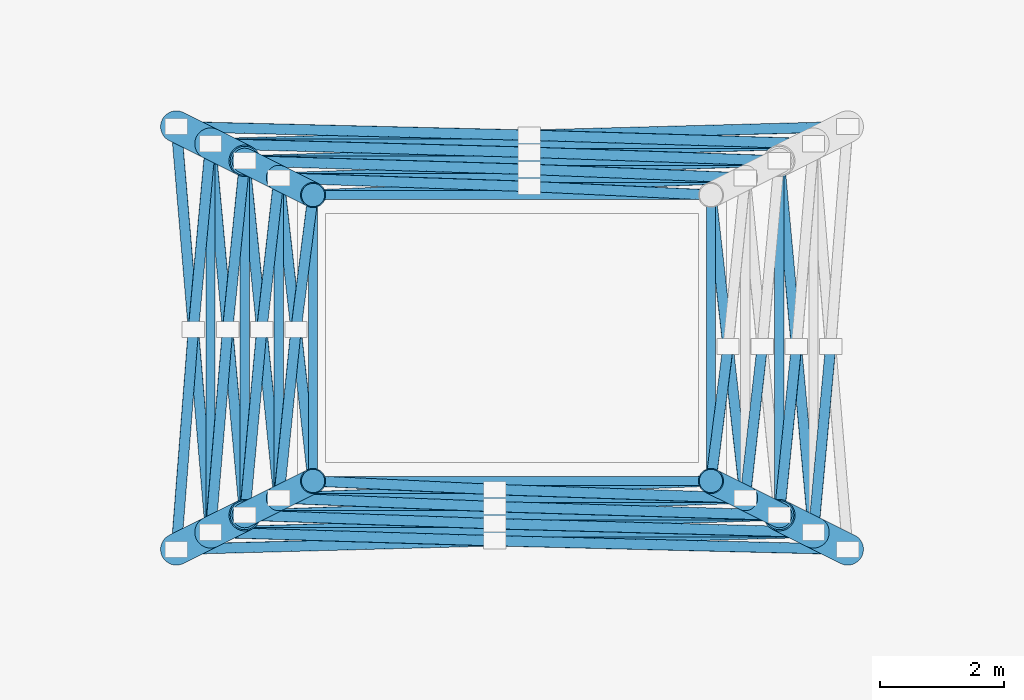
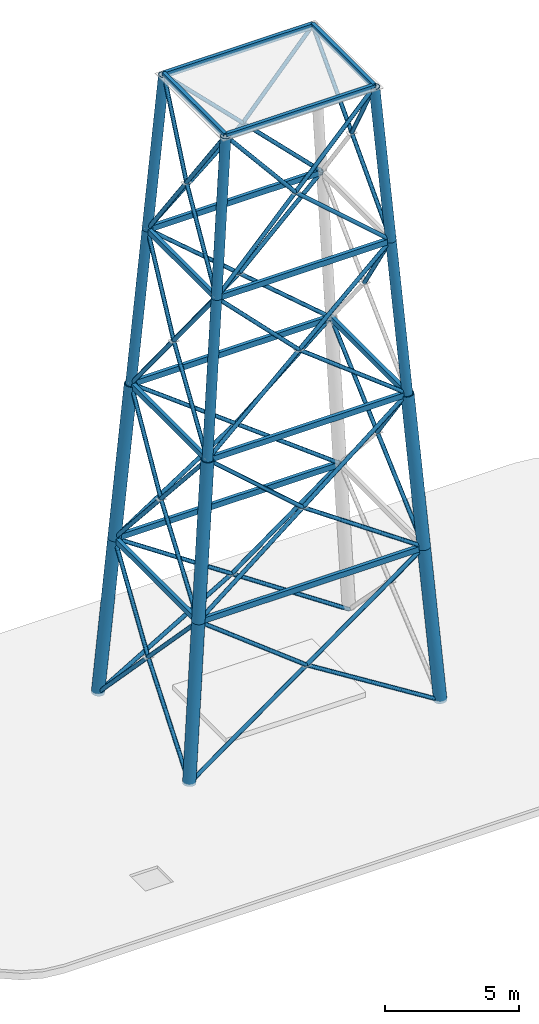
# One storey, part 1 of 3: 68 members.
"""IFC4 building model written with IfcOpenShell, lengths in metres."""

from ifc_helpers import new_model, si_unit, direction, frame, origin, origin_2d, place, context, subcontext, project, spatial, hollow_rectangle, hollow_circle, extrude, material, material_profile, profile_set, type_object, element, save


model = new_model("IFC4")

# Units and contexts
model_context = context("Model", 3, precision=1e-05, world=origin(), true_north=direction((0.0, 1.0)))
body_context = subcontext(model_context, "Body", "Model", "MODEL_VIEW")
ifc_project = project(units=[si_unit("LENGTHUNIT", "METRE"), si_unit("AREAUNIT", "SQUARE_METRE"), si_unit("VOLUMEUNIT", "CUBIC_METRE"), si_unit("PLANEANGLEUNIT", "RADIAN"), si_unit("MASSUNIT", "GRAM", prefix="KILO")], contexts=[model_context])

# Site, building, storey
site_placement = place(None, origin())
site = spatial("IfcSite", under=ifc_project, at=site_placement, CompositionType="ELEMENT")
building_placement = place(site_placement, origin())
building = spatial("IfcBuilding", under=site, at=building_placement, Name="Zarnavel Station Tower", CompositionType="ELEMENT")
storey_placement = place(building_placement, frame((0.0, 0.0, 291.60009765625)))
storey = spatial("IfcBuildingStorey", under=building, at=storey_placement, Name="Roof", CompositionType="ELEMENT", Elevation=291.60009765625)

# Members
ifc_material_1 = material(Name="Steel S355J2", Category="steel")
ifc_material_profile_1 = material_profile(ifc_material_1, hollow_circle(Radius=0.084228515625, WallThickness=0.008056640625, at=origin_2d()), Name="CHS168.3x8")
ifc_profile_set_1 = profile_set([ifc_material_profile_1], Name="Steel S355J2")
member_type_1 = type_object("IfcMemberType", Name="MAST_DIAG_CHS168", PredefinedType="BRACE", material=ifc_profile_set_1)
member_1_placement = place(storey_placement, frame((23.39990234375, 28.800048828125, 0.0), z_axis=(0.825598518903, 0.022142338326, 0.563823378763), x_axis=(-0.026810100354, 0.999640544655, 0.0)))
element("IfcMember", 1, at=member_1_placement, inside=storey, type_object=member_type_1, Name="Broadcast Mast Continuous Diagonal A T1-1", PredefinedType="BRACE", context=body_context, shape_type="SweptSolid", body=[
    extrude(hollow_circle(Radius=0.084228515625, WallThickness=0.008056640625, at=origin_2d()), origin(), (0.0, 0.0, 1.0), 12.415283203125),
])
member_2_placement = place(storey_placement, frame((34.199951171875, 28.800048828125, 0.0), z_axis=(-0.850964166251, 0.020610575418, 0.524819199285), x_axis=(-0.024213161487, -0.999706818428, 0.0)))
element("IfcMember", 2, at=member_2_placement, inside=storey, type_object=member_type_1, Name="Broadcast Mast Split Diagonal B Lower T1-1", PredefinedType="BRACE", context=body_context, shape_type="SweptSolid", body=[
    extrude(hollow_circle(Radius=0.084228515625, WallThickness=0.008056640625, at=origin_2d()), origin(), (0.0, 0.0, 1.0), 6.6689453125),
])
member_3_placement = place(storey_placement, frame((28.52490234375, 28.9375, 3.5), z_axis=(-0.794005475476, 0.023855332872, 0.607442365997), x_axis=(-0.030030741941, -0.999548975558, 0.0)))
element("IfcMember", 3, at=member_3_placement, inside=storey, type_object=member_type_1, Name="Broadcast Mast Split Diagonal B Upper T1-1", PredefinedType="BRACE", context=body_context, shape_type="SweptSolid", body=[
    extrude(hollow_circle(Radius=0.084228515625, WallThickness=0.008056640625, at=origin_2d()), origin(), (0.0, 0.0, 1.0), 5.761962890625),
])
member_4_placement = place(storey_placement, frame((33.925048828125, 32.0625, 3.5), z_axis=(-0.059686032772, -0.648072744476, 0.75923599451), x_axis=(0.995785793262, -0.091709617472, 0.0)))
element("IfcMember", 4, at=member_4_placement, inside=storey, type_object=member_type_1, Name="Broadcast Mast Split Diagonal B Upper T1-2", PredefinedType="BRACE", context=body_context, shape_type="SweptSolid", body=[
    extrude(hollow_circle(Radius=0.084228515625, WallThickness=0.008056640625, at=origin_2d()), origin(), (0.0, 0.0, 1.0), 4.60986328125),
])
member_5_placement = place(storey_placement, frame((34.199951171875, 35.60009765625, 0.0), z_axis=(-0.825598159261, -0.022161993271, 0.563823133154), x_axis=(0.026833893253, -0.999639906253, 0.0)))
element("IfcMember", 5, at=member_5_placement, inside=storey, type_object=member_type_1, Name="Broadcast Mast Continuous Diagonal A T1-3", PredefinedType="BRACE", context=body_context, shape_type="SweptSolid", body=[
    extrude(hollow_circle(Radius=0.084228515625, WallThickness=0.008056640625, at=origin_2d()), origin(), (0.0, 0.0, 1.0), 12.415283203125),
])
member_6_placement = place(storey_placement, frame((23.39990234375, 35.60009765625, 0.0), z_axis=(0.85096352361, -0.020647168308, 0.524818802946), x_axis=(0.024256143598, 0.999705776465, 0.0)))
element("IfcMember", 6, at=member_6_placement, inside=storey, type_object=member_type_1, Name="Broadcast Mast Split Diagonal B Lower T1-3", PredefinedType="BRACE", context=body_context, shape_type="SweptSolid", body=[
    extrude(hollow_circle(Radius=0.084228515625, WallThickness=0.008056640625, at=origin_2d()), origin(), (0.0, 0.0, 1.0), 6.6689453125),
])
member_7_placement = place(storey_placement, frame((29.074951171875, 35.46240234375, 3.5), z_axis=(0.794005475476, -0.023855332872, 0.607442365997), x_axis=(0.030030741941, 0.999548975558, 0.0)))
element("IfcMember", 7, at=member_7_placement, inside=storey, type_object=member_type_1, Name="Broadcast Mast Split Diagonal B Upper T1-3", PredefinedType="BRACE", context=body_context, shape_type="SweptSolid", body=[
    extrude(hollow_circle(Radius=0.084228515625, WallThickness=0.008056640625, at=origin_2d()), origin(), (0.0, 0.0, 1.0), 5.761962890625),
])
member_8_placement = place(storey_placement, frame((23.39990234375, 35.60009765625, 0.0), z_axis=(0.057383962887, -0.680737317393, 0.73027651305), x_axis=(0.996465850559, 0.083998861126, 0.0)))
element("IfcMember", 8, at=member_8_placement, inside=storey, type_object=member_type_1, Name="Broadcast Mast Continuous Diagonal A T1-4", PredefinedType="BRACE", context=body_context, shape_type="SweptSolid", body=[
    extrude(hollow_circle(Radius=0.084228515625, WallThickness=0.008056640625, at=origin_2d()), origin(), (0.0, 0.0, 1.0), 9.58544921875),
])
member_9_placement = place(storey_placement, frame((23.39990234375, 28.800048828125, 0.0), z_axis=(0.055207823453, 0.709765886431, 0.702270946778), x_axis=(-0.996988549193, 0.077548905717, 0.0)))
element("IfcMember", 9, at=member_9_placement, inside=storey, type_object=member_type_1, Name="Broadcast Mast Split Diagonal B Lower T1-4", PredefinedType="BRACE", context=body_context, shape_type="SweptSolid", body=[
    extrude(hollow_circle(Radius=0.084228515625, WallThickness=0.008056640625, at=origin_2d()), origin(), (0.0, 0.0, 1.0), 4.98388671875),
])
member_10_placement = place(storey_placement, frame((23.675048828125, 32.33740234375, 3.5), z_axis=(0.059633261088, 0.648074792121, 0.759238393385), x_axis=(-0.995793221468, 0.091628925993, 0.0)))
element("IfcMember", 10, at=member_10_placement, inside=storey, type_object=member_type_1, Name="Broadcast Mast Split Diagonal B Upper T1-4", PredefinedType="BRACE", context=body_context, shape_type="SweptSolid", body=[
    extrude(hollow_circle(Radius=0.084228515625, WallThickness=0.008056640625, at=origin_2d()), origin(), (0.0, 0.0, 1.0), 4.60986328125),
])
member_11_placement = place(storey_placement, frame((23.949951171875, 29.074951171875, 7.0), z_axis=(0.794012903187, 0.023876105069, 0.607431840769), x_axis=(-0.030056586888, 0.99954819873, 0.0)))
element("IfcMember", 11, at=member_11_placement, inside=storey, type_object=member_type_1, Name="Broadcast Mast Continuous Diagonal A T2-1", PredefinedType="BRACE", context=body_context, shape_type="SweptSolid", body=[
    extrude(hollow_circle(Radius=0.084228515625, WallThickness=0.008056640625, at=origin_2d()), origin(), (0.0, 0.0, 1.0), 11.52392578125),
])
member_12_placement = place(storey_placement, frame((33.64990234375, 29.074951171875, 7.0), z_axis=(-0.825598518903, 0.022142338326, 0.563823378763), x_axis=(-0.026810100354, -0.999640544655, 0.0)))
element("IfcMember", 12, at=member_12_placement, inside=storey, type_object=member_type_1, Name="Broadcast Mast Split Diagonal B Lower T2-1", PredefinedType="BRACE", context=body_context, shape_type="SweptSolid", body=[
    extrude(hollow_circle(Radius=0.084228515625, WallThickness=0.008056640625, at=origin_2d()), origin(), (0.0, 0.0, 1.0), 6.20751953125),
])
member_13_placement = place(storey_placement, frame((28.52490234375, 29.21240234375, 10.5), z_axis=(-0.754346318939, 0.02580682542, 0.655969236219), x_axis=(-0.034190843244, -0.999415322195, 0.0)))
element("IfcMember", 13, at=member_13_placement, inside=storey, type_object=member_type_1, Name="Broadcast Mast Split Diagonal B Upper T2-1", PredefinedType="BRACE", context=body_context, shape_type="SweptSolid", body=[
    extrude(hollow_circle(Radius=0.084228515625, WallThickness=0.008056640625, at=origin_2d()), origin(), (0.0, 0.0, 1.0), 5.335693359375),
])
member_14_placement = place(storey_placement, frame((33.64990234375, 29.074951171875, 7.0), z_axis=(-0.059633261088, 0.648074792121, 0.759238393385), x_axis=(-0.995793221468, -0.091628925993, 0.0)))
element("IfcMember", 14, at=member_14_placement, inside=storey, type_object=member_type_1, Name="Broadcast Mast Continuous Diagonal A T2-2", PredefinedType="BRACE", context=body_context, shape_type="SweptSolid", body=[
    extrude(hollow_circle(Radius=0.084228515625, WallThickness=0.008056640625, at=origin_2d()), origin(), (0.0, 0.0, 1.0), 9.2197265625),
])
member_15_placement = place(storey_placement, frame((33.375, 32.0625, 10.5), z_axis=(-0.061963527069, -0.611380804386, 0.788906859738), x_axis=(0.994903305985, -0.100833584387, 0.0)))
element("IfcMember", 15, at=member_15_placement, inside=storey, type_object=member_type_1, Name="Broadcast Mast Split Diagonal B Upper T2-2", PredefinedType="BRACE", context=body_context, shape_type="SweptSolid", body=[
    extrude(hollow_circle(Radius=0.084228515625, WallThickness=0.008056640625, at=origin_2d()), origin(), (0.0, 0.0, 1.0), 4.4365234375),
])
member_16_placement = place(storey_placement, frame((33.64990234375, 35.324951171875, 7.0), z_axis=(-0.794005475476, -0.023855332872, 0.607442365997), x_axis=(0.030030741941, -0.999548975558, 0.0)))
element("IfcMember", 16, at=member_16_placement, inside=storey, type_object=member_type_1, Name="Broadcast Mast Continuous Diagonal A T2-3", PredefinedType="BRACE", context=body_context, shape_type="SweptSolid", body=[
    extrude(hollow_circle(Radius=0.084228515625, WallThickness=0.008056640625, at=origin_2d()), origin(), (0.0, 0.0, 1.0), 11.523681640625),
])
member_17_placement = place(storey_placement, frame((23.949951171875, 35.324951171875, 7.0), z_axis=(0.825598518903, -0.022142338326, 0.563823378763), x_axis=(0.026810100354, 0.999640544655, 0.0)))
element("IfcMember", 17, at=member_17_placement, inside=storey, type_object=member_type_1, Name="Broadcast Mast Split Diagonal B Lower T2-3", PredefinedType="BRACE", context=body_context, shape_type="SweptSolid", body=[
    extrude(hollow_circle(Radius=0.084228515625, WallThickness=0.008056640625, at=origin_2d()), origin(), (0.0, 0.0, 1.0), 6.20751953125),
])
member_18_placement = place(storey_placement, frame((29.074951171875, 35.1875, 10.5), z_axis=(0.754366927269, -0.025760209866, 0.655947368796), x_axis=(0.034128224139, 0.999417462484, 0.0)))
element("IfcMember", 18, at=member_18_placement, inside=storey, type_object=member_type_1, Name="Broadcast Mast Split Diagonal B Upper T2-3", PredefinedType="BRACE", context=body_context, shape_type="SweptSolid", body=[
    extrude(hollow_circle(Radius=0.084228515625, WallThickness=0.008056640625, at=origin_2d()), origin(), (0.0, 0.0, 1.0), 5.335693359375),
])
member_19_placement = place(storey_placement, frame((23.949951171875, 35.324951171875, 7.0), z_axis=(0.05966067082, -0.648058409665, 0.759250223589), x_axis=(0.995789166239, 0.091672986211, 0.0)))
element("IfcMember", 19, at=member_19_placement, inside=storey, type_object=member_type_1, Name="Broadcast Mast Continuous Diagonal A T2-4", PredefinedType="BRACE", context=body_context, shape_type="SweptSolid", body=[
    extrude(hollow_circle(Radius=0.084228515625, WallThickness=0.008056640625, at=origin_2d()), origin(), (0.0, 0.0, 1.0), 9.2197265625),
])
member_20_placement = place(storey_placement, frame((23.949951171875, 29.074951171875, 7.0), z_axis=(0.057410344375, 0.680722654728, 0.730288107324), x_axis=(-0.996462465901, 0.084039003148, 0.0)))
element("IfcMember", 20, at=member_20_placement, inside=storey, type_object=member_type_1, Name="Broadcast Mast Split Diagonal B Lower T2-4", PredefinedType="BRACE", context=body_context, shape_type="SweptSolid", body=[
    extrude(hollow_circle(Radius=0.084228515625, WallThickness=0.008056640625, at=origin_2d()), origin(), (0.0, 0.0, 1.0), 4.792724609375),
])
member_21_placement = place(storey_placement, frame((24.22509765625, 32.33740234375, 10.5), z_axis=(0.061961442371, 0.611415263036, 0.788880317783), x_axis=(-0.994904216358, 0.100824601532, 0.0)))
element("IfcMember", 21, at=member_21_placement, inside=storey, type_object=member_type_1, Name="Broadcast Mast Split Diagonal B Upper T2-4", PredefinedType="BRACE", context=body_context, shape_type="SweptSolid", body=[
    extrude(hollow_circle(Radius=0.084228515625, WallThickness=0.008056640625, at=origin_2d()), origin(), (0.0, 0.0, 1.0), 4.436767578125),
])
member_22_placement = place(storey_placement, frame((24.5, 29.35009765625, 14.0), z_axis=(0.754357068345, 0.025760654443, 0.65595868934), x_axis=(-0.034129257969, 0.99941742718, 0.0)))
element("IfcMember", 22, at=member_22_placement, inside=storey, type_object=member_type_1, Name="Broadcast Mast Continuous Diagonal A T3-1", PredefinedType="BRACE", context=body_context, shape_type="SweptSolid", body=[
    extrude(hollow_circle(Radius=0.084228515625, WallThickness=0.008056640625, at=origin_2d()), origin(), (0.0, 0.0, 1.0), 10.67138671875),
])
member_23_placement = place(storey_placement, frame((33.10009765625, 29.35009765625, 14.0), z_axis=(-0.794021133415, 0.023854530316, 0.607421930023), x_axis=(-0.030029140892, -0.999549023659, 0.0)))
element("IfcMember", 23, at=member_23_placement, inside=storey, type_object=member_type_1, Name="Broadcast Mast Split Diagonal B Lower T3-1", PredefinedType="BRACE", context=body_context, shape_type="SweptSolid", body=[
    extrude(hollow_circle(Radius=0.084228515625, WallThickness=0.008056640625, at=origin_2d()), origin(), (0.0, 0.0, 1.0), 5.761962890625),
])
member_24_placement = place(storey_placement, frame((28.52490234375, 29.487548828125, 17.5), z_axis=(-0.704279413179, 0.027858449352, 0.709376074428), x_axis=(-0.039525051672, -0.999218579836, 0.0)))
element("IfcMember", 24, at=member_24_placement, inside=storey, type_object=member_type_1, Name="Broadcast Mast Split Diagonal B Upper T3-1", PredefinedType="BRACE", context=body_context, shape_type="SweptSolid", body=[
    extrude(hollow_circle(Radius=0.084228515625, WallThickness=0.008056640625, at=origin_2d()), origin(), (0.0, 0.0, 1.0), 4.933837890625),
])
member_25_placement = place(storey_placement, frame((32.824951171875, 32.0625, 17.5), z_axis=(-0.064319860682, -0.570310381036, 0.818907213795), x_axis=(0.993700318166, -0.112069967774, 0.0)))
element("IfcMember", 25, at=member_25_placement, inside=storey, type_object=member_type_1, Name="Broadcast Mast Split Diagonal B Upper T3-2", PredefinedType="BRACE", context=body_context, shape_type="SweptSolid", body=[
    extrude(hollow_circle(Radius=0.084228515625, WallThickness=0.008056640625, at=origin_2d()), origin(), (0.0, 0.0, 1.0), 4.27392578125),
])
member_26_placement = place(storey_placement, frame((33.10009765625, 35.050048828125, 14.0), z_axis=(-0.754356623566, -0.025783517264, 0.655958302577), x_axis=(0.034159532792, -0.999416392861, 0.0)))
element("IfcMember", 26, at=member_26_placement, inside=storey, type_object=member_type_1, Name="Broadcast Mast Continuous Diagonal A T3-3", PredefinedType="BRACE", context=body_context, shape_type="SweptSolid", body=[
    extrude(hollow_circle(Radius=0.084228515625, WallThickness=0.008056640625, at=origin_2d()), origin(), (0.0, 0.0, 1.0), 10.67138671875),
])
member_27_placement = place(storey_placement, frame((24.5, 35.050048828125, 14.0), z_axis=(0.794005475476, -0.023855332872, 0.607442365997), x_axis=(0.030030741941, 0.999548975558, 0.0)))
element("IfcMember", 27, at=member_27_placement, inside=storey, type_object=member_type_1, Name="Broadcast Mast Split Diagonal B Lower T3-3", PredefinedType="BRACE", context=body_context, shape_type="SweptSolid", body=[
    extrude(hollow_circle(Radius=0.084228515625, WallThickness=0.008056640625, at=origin_2d()), origin(), (0.0, 0.0, 1.0), 5.761962890625),
])
member_28_placement = place(storey_placement, frame((29.074951171875, 34.91259765625, 17.5), z_axis=(0.704303378736, -0.027906920444, 0.709350374986), x_axis=(0.03959236869, 0.999215914776, 0.0)))
element("IfcMember", 28, at=member_28_placement, inside=storey, type_object=member_type_1, Name="Broadcast Mast Split Diagonal B Upper T3-3", PredefinedType="BRACE", context=body_context, shape_type="SweptSolid", body=[
    extrude(hollow_circle(Radius=0.084228515625, WallThickness=0.008056640625, at=origin_2d()), origin(), (0.0, 0.0, 1.0), 4.93408203125),
])
member_29_placement = place(storey_placement, frame((24.5, 35.050048828125, 14.0), z_axis=(0.061989893434, -0.611396991568, 0.788892243474), x_axis=(0.994899268807, 0.100873410406, 0.0)))
element("IfcMember", 29, at=member_29_placement, inside=storey, type_object=member_type_1, Name="Broadcast Mast Continuous Diagonal A T3-4", PredefinedType="BRACE", context=body_context, shape_type="SweptSolid", body=[
    extrude(hollow_circle(Radius=0.084228515625, WallThickness=0.008056640625, at=origin_2d()), origin(), (0.0, 0.0, 1.0), 8.873291015625),
])
member_30_placement = place(storey_placement, frame((24.5, 29.35009765625, 14.0), z_axis=(0.059635307855, 0.648044073634, 0.759264452404), x_axis=(-0.995792538167, 0.091636351583, 0.0)))
element("IfcMember", 30, at=member_30_placement, inside=storey, type_object=member_type_1, Name="Broadcast Mast Split Diagonal B Lower T3-4", PredefinedType="BRACE", context=body_context, shape_type="SweptSolid", body=[
    extrude(hollow_circle(Radius=0.084228515625, WallThickness=0.008056640625, at=origin_2d()), origin(), (0.0, 0.0, 1.0), 4.609619140625),
])
member_31_placement = place(storey_placement, frame((24.77490234375, 32.33740234375, 17.5), z_axis=(0.064376746484, 0.570308284735, 0.818904203723), x_axis=(-0.993689229455, 0.112168245352, 0.0)))
element("IfcMember", 31, at=member_31_placement, inside=storey, type_object=member_type_1, Name="Broadcast Mast Split Diagonal B Upper T3-4", PredefinedType="BRACE", context=body_context, shape_type="SweptSolid", body=[
    extrude(hollow_circle(Radius=0.084228515625, WallThickness=0.008056640625, at=origin_2d()), origin(), (0.0, 0.0, 1.0), 4.27392578125),
])
member_32_placement = place(storey_placement, frame((25.050048828125, 29.625, 21.0), z_axis=(0.70429188212, 0.027857963933, 0.709363713919), x_axis=(-0.039523665389, 0.999218634671, 0.0)))
element("IfcMember", 32, at=member_32_placement, inside=storey, type_object=member_type_1, Name="Broadcast Mast Continuous Diagonal A T4-1", PredefinedType="BRACE", context=body_context, shape_type="SweptSolid", body=[
    extrude(hollow_circle(Radius=0.084228515625, WallThickness=0.008056640625, at=origin_2d()), origin(), (0.0, 0.0, 1.0), 9.867919921875),
])
member_33_placement = place(storey_placement, frame((32.550048828125, 29.625, 21.0), z_axis=(-0.754366927269, 0.025760209866, 0.655947368796), x_axis=(-0.034128224139, -0.999417462484, 0.0)))
element("IfcMember", 33, at=member_33_placement, inside=storey, type_object=member_type_1, Name="Broadcast Mast Split Diagonal B Lower T4-1", PredefinedType="BRACE", context=body_context, shape_type="SweptSolid", body=[
    extrude(hollow_circle(Radius=0.084228515625, WallThickness=0.008056640625, at=origin_2d()), origin(), (0.0, 0.0, 1.0), 5.335693359375),
])
member_34_placement = place(storey_placement, frame((28.52490234375, 29.762451171875, 24.5), z_axis=(-0.640945801433, 0.030121242588, 0.76699490896), x_axis=(-0.046943182547, -0.99889756112, 0.0)))
element("IfcMember", 34, at=member_34_placement, inside=storey, type_object=member_type_1, Name="Broadcast Mast Split Diagonal B Upper T4-1", PredefinedType="BRACE", context=body_context, shape_type="SweptSolid", body=[
    extrude(hollow_circle(Radius=0.084228515625, WallThickness=0.008056640625, at=origin_2d()), origin(), (0.0, 0.0, 1.0), 4.563232421875),
])
member_35_placement = place(storey_placement, frame((32.550048828125, 29.625, 21.0), z_axis=(-0.064348303661, 0.570309333115, 0.818905709088), x_axis=(-0.993694774994, -0.112119106974, 0.0)))
element("IfcMember", 35, at=member_35_placement, inside=storey, type_object=member_type_1, Name="Broadcast Mast Continuous Diagonal A T4-2", PredefinedType="BRACE", context=body_context, shape_type="SweptSolid", body=[
    extrude(hollow_circle(Radius=0.084228515625, WallThickness=0.008056640625, at=origin_2d()), origin(), (0.0, 0.0, 1.0), 8.548095703125),
])
member_36_placement = place(storey_placement, frame((32.27490234375, 32.0625, 24.5), z_axis=(-0.066668906045, -0.524469955371, 0.848814775366), x_axis=(0.992017281711, -0.126101993588, 0.0)))
element("IfcMember", 36, at=member_36_placement, inside=storey, type_object=member_type_1, Name="Broadcast Mast Split Diagonal B Upper T4-2", PredefinedType="BRACE", context=body_context, shape_type="SweptSolid", body=[
    extrude(hollow_circle(Radius=0.084228515625, WallThickness=0.008056640625, at=origin_2d()), origin(), (0.0, 0.0, 1.0), 4.123291015625),
])
member_37_placement = place(storey_placement, frame((32.550048828125, 34.77490234375, 21.0), z_axis=(-0.70429188212, -0.027857963933, 0.709363713919), x_axis=(0.039523665389, -0.999218634671, 0.0)))
element("IfcMember", 37, at=member_37_placement, inside=storey, type_object=member_type_1, Name="Broadcast Mast Continuous Diagonal A T4-3", PredefinedType="BRACE", context=body_context, shape_type="SweptSolid", body=[
    extrude(hollow_circle(Radius=0.084228515625, WallThickness=0.008056640625, at=origin_2d()), origin(), (0.0, 0.0, 1.0), 9.867919921875),
])
member_38_placement = place(storey_placement, frame((25.050048828125, 34.77490234375, 21.0), z_axis=(0.754347208911, -0.02576109903, 0.655970010126), x_axis=(0.034130291861, 0.999417391873, 0.0)))
element("IfcMember", 38, at=member_38_placement, inside=storey, type_object=member_type_1, Name="Broadcast Mast Split Diagonal B Lower T4-3", PredefinedType="BRACE", context=body_context, shape_type="SweptSolid", body=[
    extrude(hollow_circle(Radius=0.084228515625, WallThickness=0.008056640625, at=origin_2d()), origin(), (0.0, 0.0, 1.0), 5.335693359375),
])
member_39_placement = place(storey_placement, frame((29.074951171875, 34.637451171875, 24.5), z_axis=(0.640977322172, -0.030120209697, 0.766968607851), x_axis=(0.046939273044, 0.99889774484, 0.0)))
element("IfcMember", 39, at=member_39_placement, inside=storey, type_object=member_type_1, Name="Broadcast Mast Split Diagonal B Upper T4-3", PredefinedType="BRACE", context=body_context, shape_type="SweptSolid", body=[
    extrude(hollow_circle(Radius=0.084228515625, WallThickness=0.008056640625, at=origin_2d()), origin(), (0.0, 0.0, 1.0), 4.5634765625),
])
member_40_placement = place(storey_placement, frame((25.050048828125, 34.77490234375, 21.0), z_axis=(0.064348303661, -0.570309333115, 0.818905709088), x_axis=(0.993694774994, 0.112119106974, 0.0)))
element("IfcMember", 40, at=member_40_placement, inside=storey, type_object=member_type_1, Name="Broadcast Mast Continuous Diagonal A T4-4", PredefinedType="BRACE", context=body_context, shape_type="SweptSolid", body=[
    extrude(hollow_circle(Radius=0.084228515625, WallThickness=0.008056640625, at=origin_2d()), origin(), (0.0, 0.0, 1.0), 8.548095703125),
])
member_41_placement = place(storey_placement, frame((25.050048828125, 29.625, 21.0), z_axis=(0.061963527069, 0.611380804386, 0.788906859738), x_axis=(-0.994903305985, 0.100833584387, 0.0)))
element("IfcMember", 41, at=member_41_placement, inside=storey, type_object=member_type_1, Name="Broadcast Mast Split Diagonal B Lower T4-4", PredefinedType="BRACE", context=body_context, shape_type="SweptSolid", body=[
    extrude(hollow_circle(Radius=0.084228515625, WallThickness=0.008056640625, at=origin_2d()), origin(), (0.0, 0.0, 1.0), 4.4365234375),
])
member_42_placement = place(storey_placement, frame((25.324951171875, 32.33740234375, 24.5), z_axis=(0.066727851149, 0.524467884185, 0.848811423309), x_axis=(-0.992003266219, 0.126212201516, 0.0)))
element("IfcMember", 42, at=member_42_placement, inside=storey, type_object=member_type_1, Name="Broadcast Mast Split Diagonal B Upper T4-4", PredefinedType="BRACE", context=body_context, shape_type="SweptSolid", body=[
    extrude(hollow_circle(Radius=0.084228515625, WallThickness=0.008056640625, at=origin_2d()), origin(), (0.0, 0.0, 1.0), 4.123291015625),
])
ifc_material_2 = material(Name="Steel S355J2", Category="steel")
ifc_material_profile_2 = material_profile(ifc_material_2, hollow_rectangle(XDim=0.14990234375, YDim=0.25, WallThickness=0.010009765625, at=origin_2d()), Name="RHS250x150x10")
ifc_profile_set_2 = profile_set([ifc_material_profile_2], Name="Steel S355J2")
member_type_2 = type_object("IfcMemberType", Name="MAST_GIRT_RHS250", PredefinedType="BRACE", material=ifc_profile_set_2)
for number, where, z_axis, x_axis, name in (
    (43, (23.949951171875, 29.074951171875, 7.0), (1.0, 0.0, 0.0), (0.0, 1.0, 0.0), "Broadcast Mast Ring Girt T1-1"),
    (44, (33.64990234375, 35.324951171875, 7.0), (-1.0, 0.0, 0.0), (0.0, -1.0, 0.0), "Broadcast Mast Ring Girt T1-3"),
):
    element("IfcMember", number, at=place(storey_placement, frame(where, z_axis=z_axis, x_axis=x_axis)), inside=storey, type_object=member_type_2, Name=name, PredefinedType="BRACE", context=body_context, shape_type="SweptSolid", body=[
        extrude(hollow_rectangle(XDim=0.14990234375, YDim=0.25, WallThickness=0.010009765625, at=origin_2d()), origin(), (0.0, 0.0, 1.0), 9.699951171875),
    ])
member_43_placement = place(storey_placement, frame((23.949951171875, 35.324951171875, 7.0), z_axis=(0.0, -1.0, 0.0), x_axis=(1.0, 0.0, 0.0)))
element("IfcMember", 45, at=member_43_placement, inside=storey, type_object=member_type_2, Name="Broadcast Mast Ring Girt T1-4", PredefinedType="BRACE", context=body_context, shape_type="SweptSolid", body=[
    extrude(hollow_rectangle(XDim=0.14990234375, YDim=0.25, WallThickness=0.010009765625, at=origin_2d()), origin(), (0.0, 0.0, 1.0), 6.25),
])
member_44_placement = place(storey_placement, frame((24.5, 29.35009765625, 14.0), z_axis=(1.0, 0.0, 0.0), x_axis=(0.0, 1.0, 0.0)))
element("IfcMember", 46, at=member_44_placement, inside=storey, type_object=member_type_2, Name="Broadcast Mast Ring Girt T2-1", PredefinedType="BRACE", context=body_context, shape_type="SweptSolid", body=[
    extrude(hollow_rectangle(XDim=0.14990234375, YDim=0.25, WallThickness=0.010009765625, at=origin_2d()), origin(), (0.0, 0.0, 1.0), 8.60009765625),
])
member_45_placement = place(storey_placement, frame((33.10009765625, 29.35009765625, 14.0), z_axis=(0.0, 1.0, 0.0), x_axis=(-1.0, 0.0, 0.0)))
element("IfcMember", 47, at=member_45_placement, inside=storey, type_object=member_type_2, Name="Broadcast Mast Ring Girt T2-2", PredefinedType="BRACE", context=body_context, shape_type="SweptSolid", body=[
    extrude(hollow_rectangle(XDim=0.14990234375, YDim=0.25, WallThickness=0.010009765625, at=origin_2d()), origin(), (0.0, 0.0, 1.0), 5.699951171875),
])
member_46_placement = place(storey_placement, frame((33.10009765625, 35.050048828125, 14.0), z_axis=(-1.0, 0.0, 0.0), x_axis=(0.0, -1.0, 0.0)))
element("IfcMember", 48, at=member_46_placement, inside=storey, type_object=member_type_2, Name="Broadcast Mast Ring Girt T2-3", PredefinedType="BRACE", context=body_context, shape_type="SweptSolid", body=[
    extrude(hollow_rectangle(XDim=0.14990234375, YDim=0.25, WallThickness=0.010009765625, at=origin_2d()), origin(), (0.0, 0.0, 1.0), 8.60009765625),
])
member_47_placement = place(storey_placement, frame((24.5, 35.050048828125, 14.0), z_axis=(0.0, -1.0, 0.0), x_axis=(1.0, 0.0, 0.0)))
element("IfcMember", 49, at=member_47_placement, inside=storey, type_object=member_type_2, Name="Broadcast Mast Ring Girt T2-4", PredefinedType="BRACE", context=body_context, shape_type="SweptSolid", body=[
    extrude(hollow_rectangle(XDim=0.14990234375, YDim=0.25, WallThickness=0.010009765625, at=origin_2d()), origin(), (0.0, 0.0, 1.0), 5.699951171875),
])
for number, where, z_axis, x_axis, name in (
    (50, (25.050048828125, 29.625, 21.0), (1.0, 0.0, 0.0), (0.0, 1.0, 0.0), "Broadcast Mast Ring Girt T3-1"),
    (51, (32.550048828125, 34.77490234375, 21.0), (-1.0, 0.0, 0.0), (0.0, -1.0, 0.0), "Broadcast Mast Ring Girt T3-3"),
):
    element("IfcMember", number, at=place(storey_placement, frame(where, z_axis=z_axis, x_axis=x_axis)), inside=storey, type_object=member_type_2, Name=name, PredefinedType="BRACE", context=body_context, shape_type="SweptSolid", body=[
        extrude(hollow_rectangle(XDim=0.14990234375, YDim=0.25, WallThickness=0.010009765625, at=origin_2d()), origin(), (0.0, 0.0, 1.0), 7.5),
    ])
member_48_placement = place(storey_placement, frame((25.050048828125, 34.77490234375, 21.0), z_axis=(0.0, -1.0, 0.0), x_axis=(1.0, 0.0, 0.0)))
element("IfcMember", 52, at=member_48_placement, inside=storey, type_object=member_type_2, Name="Broadcast Mast Ring Girt T3-4", PredefinedType="BRACE", context=body_context, shape_type="SweptSolid", body=[
    extrude(hollow_rectangle(XDim=0.14990234375, YDim=0.25, WallThickness=0.010009765625, at=origin_2d()), origin(), (0.0, 0.0, 1.0), 5.14990234375),
])
member_49_placement = place(storey_placement, frame((25.60009765625, 29.89990234375, 28.0), z_axis=(1.0, 0.0, 0.0), x_axis=(0.0, 1.0, 0.0)))
element("IfcMember", 53, at=member_49_placement, inside=storey, type_object=member_type_2, Name="Broadcast Mast Ring Girt T4-1", PredefinedType="BRACE", context=body_context, shape_type="SweptSolid", body=[
    extrude(hollow_rectangle(XDim=0.14990234375, YDim=0.25, WallThickness=0.010009765625, at=origin_2d()), origin(), (0.0, 0.0, 1.0), 6.39990234375),
])
member_50_placement = place(storey_placement, frame((32.0, 29.89990234375, 28.0), z_axis=(0.0, 1.0, 0.0), x_axis=(-1.0, 0.0, 0.0)))
element("IfcMember", 54, at=member_50_placement, inside=storey, type_object=member_type_2, Name="Broadcast Mast Ring Girt T4-2", PredefinedType="BRACE", context=body_context, shape_type="SweptSolid", body=[
    extrude(hollow_rectangle(XDim=0.14990234375, YDim=0.25, WallThickness=0.010009765625, at=origin_2d()), origin(), (0.0, 0.0, 1.0), 4.60009765625),
])
member_51_placement = place(storey_placement, frame((32.0, 34.5, 28.0), z_axis=(-1.0, 0.0, 0.0), x_axis=(0.0, -1.0, 0.0)))
element("IfcMember", 55, at=member_51_placement, inside=storey, type_object=member_type_2, Name="Broadcast Mast Ring Girt T4-3", PredefinedType="BRACE", context=body_context, shape_type="SweptSolid", body=[
    extrude(hollow_rectangle(XDim=0.14990234375, YDim=0.25, WallThickness=0.010009765625, at=origin_2d()), origin(), (0.0, 0.0, 1.0), 6.39990234375),
])
member_52_placement = place(storey_placement, frame((25.60009765625, 34.5, 28.0), z_axis=(0.0, -1.0, 0.0), x_axis=(1.0, 0.0, 0.0)))
element("IfcMember", 56, at=member_52_placement, inside=storey, type_object=member_type_2, Name="Broadcast Mast Ring Girt T4-4", PredefinedType="BRACE", context=body_context, shape_type="SweptSolid", body=[
    extrude(hollow_rectangle(XDim=0.14990234375, YDim=0.25, WallThickness=0.010009765625, at=origin_2d()), origin(), (0.0, 0.0, 1.0), 4.60009765625),
])
ifc_material_3 = material(Name="Steel S460M", Category="steel")
ifc_material_profile_3 = material_profile(ifc_material_3, hollow_circle(Radius=0.203125, WallThickness=0.01611328125, at=origin_2d()), Name="CHS406.4x16")
ifc_profile_set_3 = profile_set([ifc_material_profile_3], Name="Steel S460M")
member_type_3 = type_object("IfcMemberType", Name="MAST_LEG_CHS406", PredefinedType="USERDEFINED", material=ifc_profile_set_3)
for number, where, z_axis, x_axis, name in (
    (57, (24.5, 29.35009765625, 14.0), (0.078276959184, 0.039121107874, 0.996163769959), (-0.447054776807, 0.894506582723, 0.0), "Broadcast Mast Corner Leg Tier 3 Leg 1"),
    (58, (33.10009765625, 29.35009765625, 14.0), (-0.078276959184, 0.039121107874, 0.996163769959), (-0.447054776807, -0.894506582723, 0.0), "Broadcast Mast Corner Leg Tier 3 Leg 2"),
    (59, (24.5, 35.050048828125, 14.0), (0.078276852743, -0.039155798065, 0.996162415373), (0.447372371903, 0.894347785181, 0.0), "Broadcast Mast Corner Leg Tier 3 Leg 4"),
    (60, (25.050048828125, 29.625, 21.0), (0.078276959184, 0.039121107874, 0.996163769959), (-0.447054776807, 0.894506582723, 0.0), "Broadcast Mast Corner Leg Tier 4 Leg 1"),
    (61, (32.550048828125, 29.625, 21.0), (-0.078276959184, 0.039121107874, 0.996163769959), (-0.447054776807, -0.894506582723, 0.0), "Broadcast Mast Corner Leg Tier 4 Leg 2"),
    (62, (25.050048828125, 34.77490234375, 21.0), (0.078276959184, -0.039121107874, 0.996163769959), (0.447054776807, 0.894506582723, 0.0), "Broadcast Mast Corner Leg Tier 4 Leg 4"),
):
    element("IfcMember", number, at=place(storey_placement, frame(where, z_axis=z_axis, x_axis=x_axis)), inside=storey, type_object=member_type_3, Name=name, ObjectType="MAST", PredefinedType="USERDEFINED", context=body_context, shape_type="SweptSolid", body=[
        extrude(hollow_circle(Radius=0.203125, WallThickness=0.01611328125, at=origin_2d()), origin(), (0.0, 0.0, 1.0), 7.02685546875),
    ])
ifc_material_4 = material(Name="Steel S460M", Category="steel")
ifc_material_profile_4 = material_profile(ifc_material_4, hollow_circle(Radius=0.25390625, WallThickness=0.02001953125, at=origin_2d()), Name="CHS508x20")
ifc_profile_set_4 = profile_set([ifc_material_profile_4], Name="Steel S460M")
member_type_4 = type_object("IfcMemberType", Name="MAST_LEG_CHS508", PredefinedType="USERDEFINED", material=ifc_profile_set_4)
for number, where, z_axis, x_axis, name in (
    (63, (23.39990234375, 28.800048828125, 0.0), (0.078276959184, 0.039121107874, 0.996163769959), (-0.447054776807, 0.894506582723, 0.0), "Broadcast Mast Corner Leg Tier 1 Leg 1"),
    (64, (34.199951171875, 28.800048828125, 0.0), (-0.078276959184, 0.039121107874, 0.996163769959), (-0.447054776807, -0.894506582723, 0.0), "Broadcast Mast Corner Leg Tier 1 Leg 2"),
    (65, (23.39990234375, 35.60009765625, 0.0), (0.078276852743, -0.039155798065, 0.996162415373), (0.447372371903, 0.894347785181, 0.0), "Broadcast Mast Corner Leg Tier 1 Leg 4"),
    (66, (23.949951171875, 29.074951171875, 7.0), (0.078276852743, 0.039155798065, 0.996162415373), (-0.447372371903, 0.894347785181, 0.0), "Broadcast Mast Corner Leg Tier 2 Leg 1"),
    (67, (33.64990234375, 29.074951171875, 7.0), (-0.078242322096, 0.03915590453, 0.99616512395), (-0.44753124697, -0.894268294744, 0.0), "Broadcast Mast Corner Leg Tier 2 Leg 2"),
    (68, (23.949951171875, 35.324951171875, 7.0), (0.078276959184, -0.039121107874, 0.996163769959), (0.447054776807, 0.894506582723, 0.0), "Broadcast Mast Corner Leg Tier 2 Leg 4"),
):
    element("IfcMember", number, at=place(storey_placement, frame(where, z_axis=z_axis, x_axis=x_axis)), inside=storey, type_object=member_type_4, Name=name, ObjectType="MAST", PredefinedType="USERDEFINED", context=body_context, shape_type="SweptSolid", body=[
        extrude(hollow_circle(Radius=0.25390625, WallThickness=0.02001953125, at=origin_2d()), origin(), (0.0, 0.0, 1.0), 7.02685546875),
    ])

save(model, "model.ifc")
